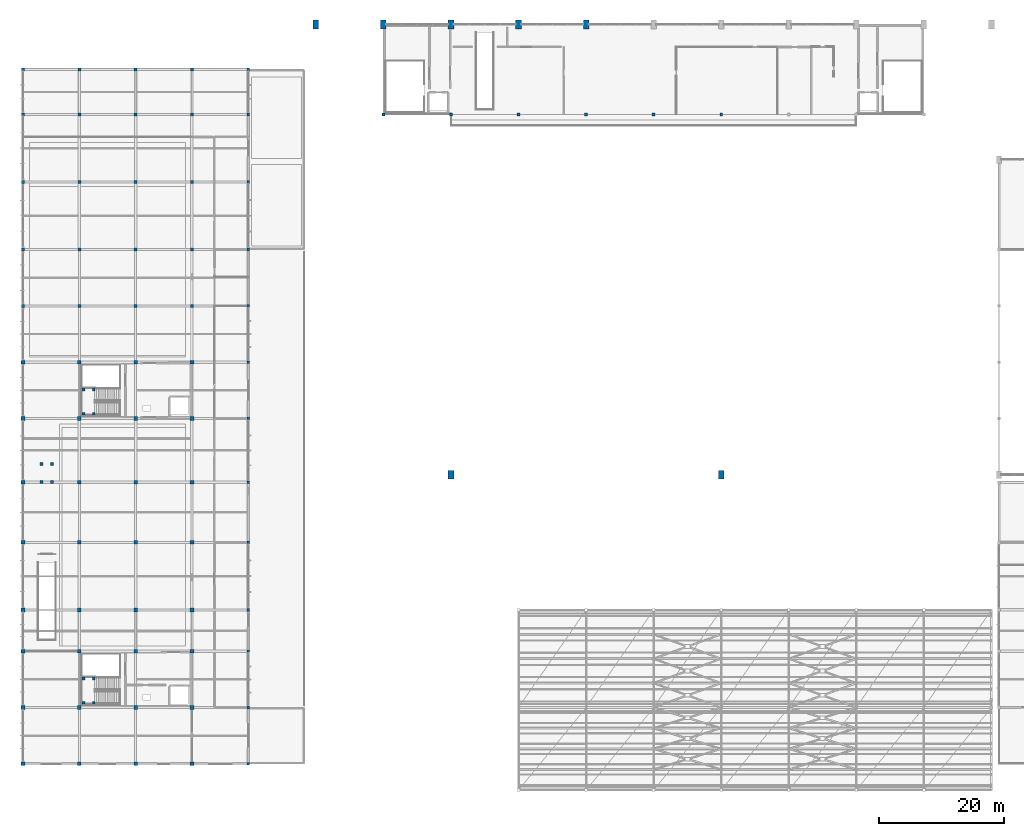
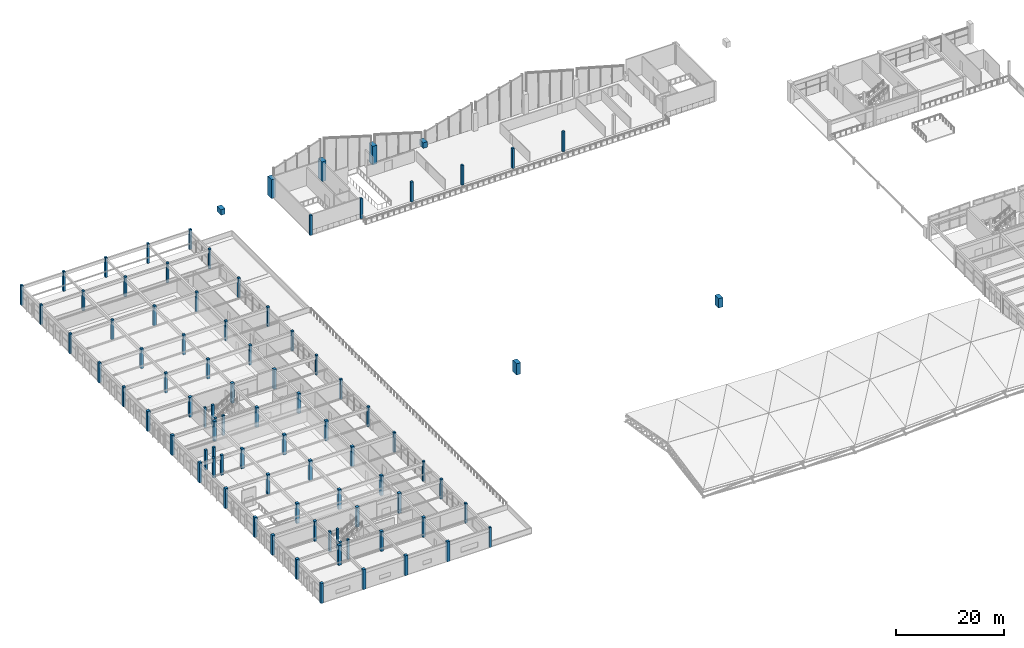
# One storey, part 1 of 89: 90 columns.
"""IFC4 building model written with IfcOpenShell, lengths in metres."""

from ifc_helpers import new_model, si_unit, direction, frame, origin, origin_2d, place, context, subcontext, project, spatial, rectangle, extrude, material, material_profile, profile_set, type_object, element, save


model = new_model("IFC4")

# Units and contexts
model_context = context("Model", 3, precision=1e-05, world=origin(), true_north=direction((0.0, 1.0)))
body_context = subcontext(model_context, "Body", "Model", "MODEL_VIEW")
ifc_project = project(units=[si_unit("LENGTHUNIT", "METRE"), si_unit("AREAUNIT", "SQUARE_METRE"), si_unit("VOLUMEUNIT", "CUBIC_METRE"), si_unit("PLANEANGLEUNIT", "RADIAN"), si_unit("MASSUNIT", "GRAM", prefix="KILO")], contexts=[model_context])

# Site, building, storey
site_placement = place(None, origin())
site = spatial("IfcSite", under=ifc_project, at=site_placement, CompositionType="ELEMENT")
building_placement = place(site_placement, origin())
building = spatial("IfcBuilding", under=site, at=building_placement, Name="Suirenkawa Promenade Aquatics Centre", CompositionType="ELEMENT")
storey_placement = place(building_placement, frame((0.0, 0.0, 9.60009765625)))
storey = spatial("IfcBuildingStorey", under=building, at=storey_placement, Name="L02", CompositionType="ELEMENT", Elevation=9.60009765625)

# Columns
ifc_material = material(Name="Concrete M40", Category="concrete")
ifc_material_profile_1 = material_profile(ifc_material, rectangle(XDim=0.89990234375, YDim=1.39990234375, at=origin_2d()), Name="RC PIER 900x1400", Category="concrete")
ifc_profile_set_1 = profile_set([ifc_material_profile_1], Name="Concrete M40")
column_type_1 = type_object("IfcColumnType", Name="CT-PIER-900x1400", PredefinedType="COLUMN", material=ifc_profile_set_1)
column_1_placement = place(storey_placement, frame((68.39990234375, 122.39990234375, 0.0), z_axis=(0.0, 0.0, 1.0), x_axis=(1.0, 0.0, 0.0)))
element("IfcColumn", 1, at=column_1_placement, inside=storey, type_object=column_type_1, Name="Column CL-09 COL-0004", PredefinedType="COLUMN", context=body_context, shape_type="SweptSolid", body=[
    extrude(rectangle(XDim=0.89990234375, YDim=1.39990234375, at=origin_2d()), origin(), (0.0, 0.0, 1.0), 4.5),
])
column_2_placement = place(storey_placement, frame((46.800048828125, 122.39990234375, 0.0), z_axis=(0.0, 0.0, 1.0), x_axis=(1.0, 0.0, 0.0)))
element("IfcColumn", 2, at=column_2_placement, inside=storey, type_object=column_type_1, Name="Column CL-09 COL-0039", PredefinedType="COLUMN", context=body_context, shape_type="SweptSolid", body=[
    extrude(rectangle(XDim=0.89990234375, YDim=1.39990234375, at=origin_2d()), origin(), (0.0, 0.0, 1.0), 1.224853515625),
])
column_3_placement = place(storey_placement, frame((57.60009765625, 122.39990234375, 0.0), z_axis=(0.0, 0.0, 1.0), x_axis=(1.0, 0.0, 0.0)))
element("IfcColumn", 3, at=column_3_placement, inside=storey, type_object=column_type_1, Name="Column CL-09 COL-0043", PredefinedType="COLUMN", context=body_context, shape_type="SweptSolid", body=[
    extrude(rectangle(XDim=0.89990234375, YDim=1.39990234375, at=origin_2d()), origin(), (0.0, 0.0, 1.0), 4.224853515625),
])
column_4_placement = place(storey_placement, frame((68.39990234375, 50.39990234375, 0.0), z_axis=(0.0, 0.0, 1.0), x_axis=(1.0, 0.0, 0.0)))
element("IfcColumn", 4, at=column_4_placement, inside=storey, type_object=column_type_1, Name="Column CL-09 COL-0047", PredefinedType="COLUMN", context=body_context, shape_type="SweptSolid", body=[
    extrude(rectangle(XDim=0.89990234375, YDim=1.39990234375, at=origin_2d()), origin(), (0.0, 0.0, 1.0), 2.52490234375),
])
column_5_placement = place(storey_placement, frame((79.199951171875, 122.39990234375, 0.0), z_axis=(0.0, 0.0, 1.0), x_axis=(1.0, 0.0, 0.0)))
element("IfcColumn", 5, at=column_5_placement, inside=storey, type_object=column_type_1, Name="Column CL-09 COL-0051", PredefinedType="COLUMN", context=body_context, shape_type="SweptSolid", body=[
    extrude(rectangle(XDim=0.89990234375, YDim=1.39990234375, at=origin_2d()), origin(), (0.0, 0.0, 1.0), 4.224853515625),
])
column_6_placement = place(storey_placement, frame((90.0, 122.39990234375, 0.0), z_axis=(0.0, 0.0, 1.0), x_axis=(1.0, 0.0, 0.0)))
element("IfcColumn", 6, at=column_6_placement, inside=storey, type_object=column_type_1, Name="Column CL-09 COL-0055", PredefinedType="COLUMN", context=body_context, shape_type="SweptSolid", body=[
    extrude(rectangle(XDim=0.89990234375, YDim=1.39990234375, at=origin_2d()), origin(), (0.0, 0.0, 1.0), 1.224853515625),
])
column_7_placement = place(storey_placement, frame((111.60009765625, 50.39990234375, 0.0), z_axis=(0.0, 0.0, 1.0), x_axis=(1.0, 0.0, 0.0)))
element("IfcColumn", 7, at=column_7_placement, inside=storey, type_object=column_type_1, Name="Column CL-09 COL-0063", PredefinedType="COLUMN", context=body_context, shape_type="SweptSolid", body=[
    extrude(rectangle(XDim=0.89990234375, YDim=1.39990234375, at=origin_2d()), origin(), (0.0, 0.0, 1.0), 2.125),
])
ifc_material_profile_2 = material_profile(ifc_material, rectangle(XDim=0.449951171875, YDim=0.449951171875, at=origin_2d()), Name="RC COL 450x450", Category="concrete")
ifc_profile_set_2 = profile_set([ifc_material_profile_2], Name="Concrete M40")
column_type_2 = type_object("IfcColumnType", Name="CT-RC-450", PredefinedType="COLUMN", material=ifc_profile_set_2)
for number, where, z_axis, x_axis, name in (
    (8, (0.0, 108.0, 0.0), (0.0, 0.0, 1.0), (1.0, 0.0, 0.0), "Column CL-01 COL-0495"),
    (9, (0.0, 115.199951171875, 0.0), (0.0, 0.0, 1.0), (1.0, 0.0, 0.0), "Column CL-01 COL-0499"),
    (10, (9.0, 108.0, 0.0), (0.0, 0.0, 1.0), (1.0, 0.0, 0.0), "Column CL-01 COL-0503"),
    (11, (9.0, 115.199951171875, 0.0), (0.0, 0.0, 1.0), (1.0, 0.0, 0.0), "Column CL-01 COL-0507"),
    (12, (18.0, 108.0, 0.0), (0.0, 0.0, 1.0), (1.0, 0.0, 0.0), "Column CL-01 COL-0511"),
    (13, (18.0, 115.199951171875, 0.0), (0.0, 0.0, 1.0), (1.0, 0.0, 0.0), "Column CL-01 COL-0515"),
    (14, (27.0, 108.0, 0.0), (0.0, 0.0, 1.0), (1.0, 0.0, 0.0), "Column CL-01 COL-0519"),
    (15, (27.0, 115.199951171875, 0.0), (0.0, 0.0, 1.0), (1.0, 0.0, 0.0), "Column CL-01 COL-0523"),
    (16, (36.0, 4.199951171875, 0.0), (0.0, 0.0, 1.0), (1.0, 0.0, 0.0), "Column CL-01 COL-0527"),
    (17, (36.0, 13.199951171875, 0.0), (0.0, 0.0, 1.0), (1.0, 0.0, 0.0), "Column CL-01 COL-0531"),
    (18, (36.0, 22.199951171875, 0.0), (0.0, 0.0, 1.0), (1.0, 0.0, 0.0), "Column CL-01 COL-0535"),
    (19, (36.0, 28.800048828125, 0.0), (0.0, 0.0, 1.0), (1.0, 0.0, 0.0), "Column CL-01 COL-0539"),
    (20, (36.0, 39.60009765625, 0.0), (0.0, 0.0, 1.0), (1.0, 0.0, 0.0), "Column CL-01 COL-0543"),
    (21, (36.0, 49.199951171875, 0.0), (0.0, 0.0, 1.0), (1.0, 0.0, 0.0), "Column CL-01 COL-0547"),
    (22, (36.0, 59.39990234375, 0.0), (0.0, 0.0, 1.0), (1.0, 0.0, 0.0), "Column CL-01 COL-0551"),
    (23, (36.0, 68.39990234375, 0.0), (0.0, 0.0, 1.0), (1.0, 0.0, 0.0), "Column CL-01 COL-0555"),
    (24, (36.0, 77.39990234375, 0.0), (0.0, 0.0, 1.0), (1.0, 0.0, 0.0), "Column CL-01 COL-0559"),
    (25, (36.0, 86.39990234375, 0.0), (0.0, 0.0, 1.0), (1.0, 0.0, 0.0), "Column CL-01 COL-0563"),
    (26, (36.0, 97.199951171875, 0.0), (0.0, 0.0, 1.0), (1.0, 0.0, 0.0), "Column CL-01 COL-0567"),
    (27, (36.0, 108.0, 0.0), (0.0, 0.0, 1.0), (1.0, 0.0, 0.0), "Column CL-01 COL-0571"),
    (28, (36.0, 115.199951171875, 0.0), (0.0, 0.0, 1.0), (1.0, 0.0, 0.0), "Column CL-01 COL-0575"),
    (29, (57.60009765625, 108.0, 0.0), (0.0, 0.0, 1.0), (1.0, 0.0, 0.0), "Column CL-01 COL-0579"),
    (30, (68.39990234375, 108.0, 0.0), (0.0, 0.0, 1.0), (1.0, 0.0, 0.0), "Column CL-01 COL-0583"),
    (31, (79.199951171875, 108.0, 0.0), (0.0, 0.0, 1.0), (1.0, 0.0, 0.0), "Column CL-01 COL-0587"),
    (32, (90.0, 108.0, 0.0), (0.0, 0.0, 1.0), (1.0, 0.0, 0.0), "Column CL-01 COL-0591"),
    (33, (100.800048828125, 108.0, 0.0), (0.0, 0.0, 1.0), (1.0, 0.0, 0.0), "Column CL-01 COL-0595"),
    (34, (111.60009765625, 108.0, 0.0), (0.0, 0.0, 1.0), (1.0, 0.0, 0.0), "Column CL-01 COL-0599"),
    (35, (9.64990234375, 13.969970703125, 0.0), (0.0, 0.0, 1.0), (1.0, 0.0, 0.0), "Core stair landing column CL-01 COL-CR-C1-L02-1"),
    (36, (11.300048828125, 13.969970703125, 0.0), (0.0, 0.0, 1.0), (1.0, 0.0, 0.0), "Core stair landing column CL-01 COL-CR-C1-L02-2"),
    (37, (9.64990234375, 17.860107421875, 0.0), (0.0, 0.0, 1.0), (1.0, 0.0, 0.0), "Core stair landing column CL-01 COL-CR-C1-L02-3"),
    (38, (11.300048828125, 17.860107421875, 0.0), (0.0, 0.0, 1.0), (1.0, 0.0, 0.0), "Core stair landing column CL-01 COL-CR-C1-L02-4"),
    (39, (9.64990234375, 60.169921875, 0.0), (0.0, 0.0, 1.0), (1.0, 0.0, 0.0), "Core stair landing column CL-01 COL-CR-C2-L02-1"),
    (40, (11.300048828125, 60.169921875, 0.0), (0.0, 0.0, 1.0), (1.0, 0.0, 0.0), "Core stair landing column CL-01 COL-CR-C2-L02-2"),
    (41, (9.64990234375, 64.06005859375, 0.0), (0.0, 0.0, 1.0), (1.0, 0.0, 0.0), "Core stair landing column CL-01 COL-CR-C2-L02-3"),
    (42, (11.300048828125, 64.06005859375, 0.0), (0.0, 0.0, 1.0), (1.0, 0.0, 0.0), "Core stair landing column CL-01 COL-CR-C2-L02-4"),
):
    element("IfcColumn", number, at=place(storey_placement, frame(where, z_axis=z_axis, x_axis=x_axis)), inside=storey, type_object=column_type_2, Name=name, PredefinedType="COLUMN", context=body_context, shape_type="SweptSolid", body=[
        extrude(rectangle(XDim=0.449951171875, YDim=0.449951171875, at=origin_2d()), origin(), (0.0, 0.0, 1.0), 4.5),
    ])
ifc_material_profile_3 = material_profile(ifc_material, rectangle(XDim=0.5, YDim=0.5, at=origin_2d()), Name="RC COL 500x500", Category="concrete")
ifc_profile_set_3 = profile_set([ifc_material_profile_3], Name="Concrete M40")
column_type_3 = type_object("IfcColumnType", Name="CT-RC-500", PredefinedType="COLUMN", material=ifc_profile_set_3)
for number, where, z_axis, x_axis, name in (
    (43, (0.0, 77.39990234375, 0.0), (0.0, 0.0, 1.0), (1.0, 0.0, 0.0), "Column CL-02 COL-0355"),
    (44, (0.0, 86.39990234375, 0.0), (0.0, 0.0, 1.0), (1.0, 0.0, 0.0), "Column CL-02 COL-0360"),
    (45, (0.0, 97.199951171875, 0.0), (0.0, 0.0, 1.0), (1.0, 0.0, 0.0), "Column CL-02 COL-0365"),
    (46, (9.0, 77.39990234375, 0.0), (0.0, 0.0, 1.0), (1.0, 0.0, 0.0), "Column CL-02 COL-0370"),
    (47, (9.0, 86.39990234375, 0.0), (0.0, 0.0, 1.0), (1.0, 0.0, 0.0), "Column CL-02 COL-0375"),
    (48, (9.0, 97.199951171875, 0.0), (0.0, 0.0, 1.0), (1.0, 0.0, 0.0), "Column CL-02 COL-0380"),
    (49, (18.0, 77.39990234375, 0.0), (0.0, 0.0, 1.0), (1.0, 0.0, 0.0), "Column CL-02 COL-0385"),
    (50, (18.0, 86.39990234375, 0.0), (0.0, 0.0, 1.0), (1.0, 0.0, 0.0), "Column CL-02 COL-0390"),
    (51, (18.0, 97.199951171875, 0.0), (0.0, 0.0, 1.0), (1.0, 0.0, 0.0), "Column CL-02 COL-0395"),
    (52, (27.0, 77.39990234375, 0.0), (0.0, 0.0, 1.0), (1.0, 0.0, 0.0), "Column CL-02 COL-0400"),
    (53, (27.0, 86.39990234375, 0.0), (0.0, 0.0, 1.0), (1.0, 0.0, 0.0), "Column CL-02 COL-0405"),
    (54, (27.0, 97.199951171875, 0.0), (0.0, 0.0, 1.0), (1.0, 0.0, 0.0), "Column CL-02 COL-0410"),
    (55, (2.945068359375, 49.22509765625, 0.0), (0.0, 0.0, 1.0), (1.0, 0.0, 0.0), "Column CL-02 COL-0435"),
    (56, (2.945068359375, 52.125, 0.0), (0.0, 0.0, 1.0), (1.0, 0.0, 0.0), "Column CL-02 COL-0440"),
    (57, (4.655029296875, 49.22509765625, 0.0), (0.0, 0.0, 1.0), (1.0, 0.0, 0.0), "Column CL-02 COL-0445"),
    (58, (4.655029296875, 52.125, 0.0), (0.0, 0.0, 1.0), (1.0, 0.0, 0.0), "Column CL-02 COL-0450"),
):
    element("IfcColumn", number, at=place(storey_placement, frame(where, z_axis=z_axis, x_axis=x_axis)), inside=storey, type_object=column_type_3, Name=name, PredefinedType="COLUMN", context=body_context, shape_type="SweptSolid", body=[
        extrude(rectangle(XDim=0.5, YDim=0.5, at=origin_2d()), origin(), (0.0, 0.0, 1.0), 4.5),
    ])
ifc_material_profile_4 = material_profile(ifc_material, rectangle(XDim=0.60009765625, YDim=0.60009765625, at=origin_2d()), Name="RC COL 600x600", Category="concrete")
ifc_profile_set_4 = profile_set([ifc_material_profile_4], Name="Concrete M40")
column_type_4 = type_object("IfcColumnType", Name="CT-RC-600", PredefinedType="COLUMN", material=ifc_profile_set_4)
for number, where, z_axis, x_axis, name in (
    (59, (0.0, 4.199951171875, 0.0), (0.0, 0.0, 1.0), (1.0, 0.0, 0.0), "Column CL-03 COL-0163"),
    (60, (0.0, 13.199951171875, 0.0), (0.0, 0.0, 1.0), (1.0, 0.0, 0.0), "Column CL-03 COL-0169"),
    (61, (0.0, 22.199951171875, 0.0), (0.0, 0.0, 1.0), (1.0, 0.0, 0.0), "Column CL-03 COL-0175"),
    (62, (0.0, 28.800048828125, 0.0), (0.0, 0.0, 1.0), (1.0, 0.0, 0.0), "Column CL-03 COL-0181"),
    (63, (0.0, 39.60009765625, 0.0), (0.0, 0.0, 1.0), (1.0, 0.0, 0.0), "Column CL-03 COL-0187"),
    (64, (0.0, 49.199951171875, 0.0), (0.0, 0.0, 1.0), (1.0, 0.0, 0.0), "Column CL-03 COL-0193"),
    (65, (0.0, 59.39990234375, 0.0), (0.0, 0.0, 1.0), (1.0, 0.0, 0.0), "Column CL-03 COL-0199"),
    (66, (0.0, 68.39990234375, 0.0), (0.0, 0.0, 1.0), (1.0, 0.0, 0.0), "Column CL-03 COL-0205"),
    (67, (9.0, 4.199951171875, 0.0), (0.0, 0.0, 1.0), (1.0, 0.0, 0.0), "Column CL-03 COL-0211"),
    (68, (9.0, 13.199951171875, 0.0), (0.0, 0.0, 1.0), (1.0, 0.0, 0.0), "Column CL-03 COL-0217"),
    (69, (9.0, 22.199951171875, 0.0), (0.0, 0.0, 1.0), (1.0, 0.0, 0.0), "Column CL-03 COL-0223"),
    (70, (9.0, 28.800048828125, 0.0), (0.0, 0.0, 1.0), (1.0, 0.0, 0.0), "Column CL-03 COL-0229"),
    (71, (9.0, 39.60009765625, 0.0), (0.0, 0.0, 1.0), (1.0, 0.0, 0.0), "Column CL-03 COL-0235"),
    (72, (9.0, 49.199951171875, 0.0), (0.0, 0.0, 1.0), (1.0, 0.0, 0.0), "Column CL-03 COL-0241"),
    (73, (9.0, 59.39990234375, 0.0), (0.0, 0.0, 1.0), (1.0, 0.0, 0.0), "Column CL-03 COL-0247"),
    (74, (9.0, 68.39990234375, 0.0), (0.0, 0.0, 1.0), (1.0, 0.0, 0.0), "Column CL-03 COL-0253"),
    (75, (18.0, 4.199951171875, 0.0), (0.0, 0.0, 1.0), (1.0, 0.0, 0.0), "Column CL-03 COL-0259"),
    (76, (18.0, 13.199951171875, 0.0), (0.0, 0.0, 1.0), (1.0, 0.0, 0.0), "Column CL-03 COL-0265"),
    (77, (18.0, 22.199951171875, 0.0), (0.0, 0.0, 1.0), (1.0, 0.0, 0.0), "Column CL-03 COL-0271"),
    (78, (18.0, 28.800048828125, 0.0), (0.0, 0.0, 1.0), (1.0, 0.0, 0.0), "Column CL-03 COL-0277"),
    (79, (18.0, 39.60009765625, 0.0), (0.0, 0.0, 1.0), (1.0, 0.0, 0.0), "Column CL-03 COL-0283"),
    (80, (18.0, 49.199951171875, 0.0), (0.0, 0.0, 1.0), (1.0, 0.0, 0.0), "Column CL-03 COL-0289"),
    (81, (18.0, 59.39990234375, 0.0), (0.0, 0.0, 1.0), (1.0, 0.0, 0.0), "Column CL-03 COL-0295"),
    (82, (18.0, 68.39990234375, 0.0), (0.0, 0.0, 1.0), (1.0, 0.0, 0.0), "Column CL-03 COL-0301"),
    (83, (27.0, 4.199951171875, 0.0), (0.0, 0.0, 1.0), (1.0, 0.0, 0.0), "Column CL-03 COL-0307"),
    (84, (27.0, 13.199951171875, 0.0), (0.0, 0.0, 1.0), (1.0, 0.0, 0.0), "Column CL-03 COL-0313"),
    (85, (27.0, 22.199951171875, 0.0), (0.0, 0.0, 1.0), (1.0, 0.0, 0.0), "Column CL-03 COL-0319"),
    (86, (27.0, 28.800048828125, 0.0), (0.0, 0.0, 1.0), (1.0, 0.0, 0.0), "Column CL-03 COL-0325"),
    (87, (27.0, 39.60009765625, 0.0), (0.0, 0.0, 1.0), (1.0, 0.0, 0.0), "Column CL-03 COL-0331"),
    (88, (27.0, 49.199951171875, 0.0), (0.0, 0.0, 1.0), (1.0, 0.0, 0.0), "Column CL-03 COL-0337"),
    (89, (27.0, 59.39990234375, 0.0), (0.0, 0.0, 1.0), (1.0, 0.0, 0.0), "Column CL-03 COL-0343"),
    (90, (27.0, 68.39990234375, 0.0), (0.0, 0.0, 1.0), (1.0, 0.0, 0.0), "Column CL-03 COL-0349"),
):
    element("IfcColumn", number, at=place(storey_placement, frame(where, z_axis=z_axis, x_axis=x_axis)), inside=storey, type_object=column_type_4, Name=name, PredefinedType="COLUMN", context=body_context, shape_type="SweptSolid", body=[
        extrude(rectangle(XDim=0.60009765625, YDim=0.60009765625, at=origin_2d()), origin(), (0.0, 0.0, 1.0), 4.5),
    ])

save(model, "model.ifc")
